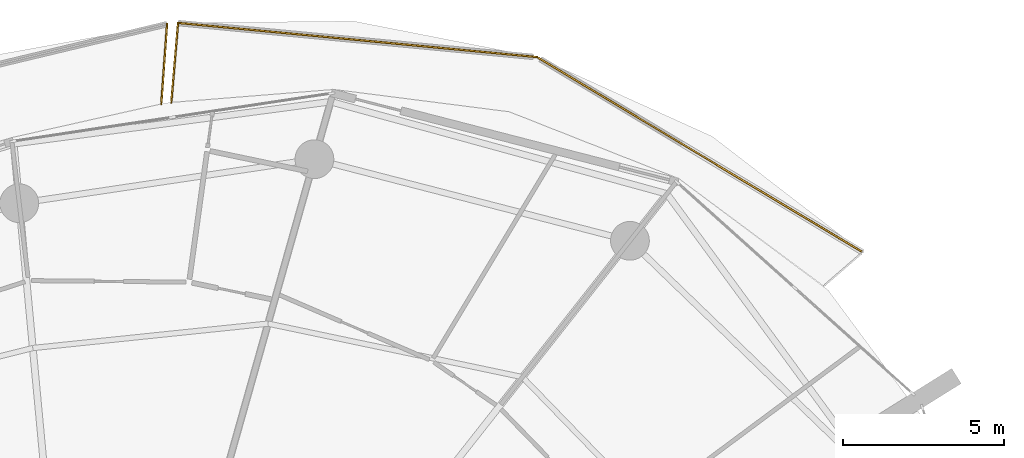
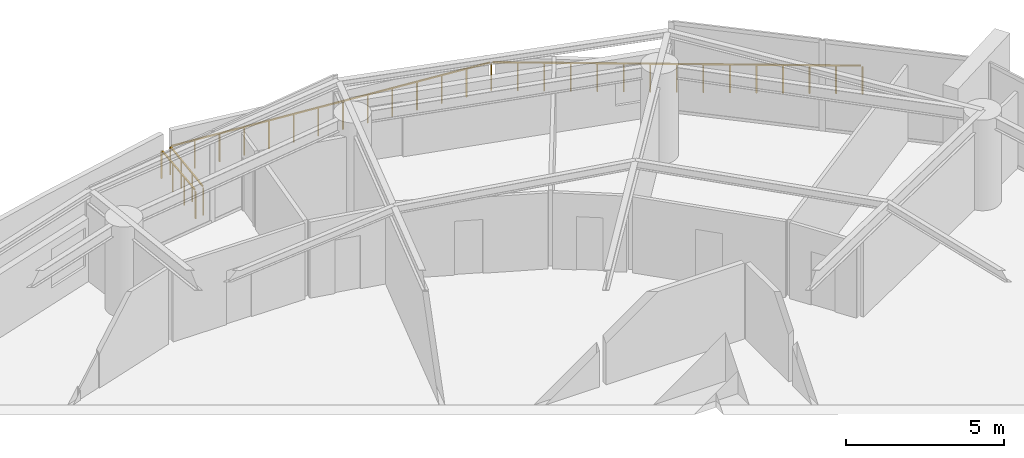
# One storey, part 22 of 22: 4 railings.
"""IFC4 building model written with IfcOpenShell, lengths in metres."""

import ifcopenshell
import ifcopenshell.guid

model = None  # the IFC model being written
_history = None  # IfcOwnerHistory: only IFC2X3 demands one
_inside = {}  # id of a spatial element -> (the spatial element, [elements in it])
_under = {}  # id of a project, library or spatial element -> (it, [spatial elements below it])
_declared = {}  # id of a project -> (the project, [libraries it declares])
_typed = {}  # id of a type object -> (the type object, [elements of that type])
_made_of = {}  # id of a material, layer set ... -> (it, [elements and type objects made of it])


def new_model(schema):
    """Start an empty IFC model of exactly this schema.

    Asked for "IFC4X3", IfcOpenShell would pick the latest addendum, in which some entities
    have other attributes; the version numbers below select the first issue.
    IFC2X3 requires an IfcOwnerHistory on every rooted entity: one is made here for all.
    """
    global model, _history
    if schema == "IFC4X3":
        model = ifcopenshell.file(schema_version=(4, 3, 0, 0))
    else:
        model = ifcopenshell.file(schema=schema)
    _inside.clear()
    _under.clear()
    _declared.clear()
    _typed.clear()
    _made_of.clear()
    _history = None
    if model.schema == "IFC2X3":
        org = make("IfcOrganization", Name="unknown")
        user = make(
            "IfcPersonAndOrganization",
            ThePerson=make("IfcPerson", FamilyName="unknown"),
            TheOrganization=org,
        )
        app = make(
            "IfcApplication",
            ApplicationDeveloper=org,
            Version="unknown",
            ApplicationFullName="unknown",
            ApplicationIdentifier="unknown",
        )
        _history = make(
            "IfcOwnerHistory",
            OwningUser=user,
            OwningApplication=app,
            ChangeAction="ADDED",
            CreationDate=0,
        )
    return model


def make(cls, **values):
    """One entity of the class cls with the attributes given. An attribute that is None is left unset."""
    return model.create_entity(
        cls, **{name: value for name, value in values.items() if value is not None}
    )


def rooted(cls, **values):
    """An entity with a GlobalId (a new one), such as an element, a storey or a relation."""
    return make(cls, GlobalId=ifcopenshell.guid.new(), OwnerHistory=_history, **values)


def si_unit(unit_type, name, prefix=None):
    """IfcSIUnit, for example si_unit("LENGTHUNIT", "METRE", prefix="MILLI")."""
    return make("IfcSIUnit", UnitType=unit_type, Prefix=prefix, Name=name)


def assignment(units):
    """IfcUnitAssignment: the units of a project."""
    return None if units is None else make("IfcUnitAssignment", Units=units)


def point(xyz):
    """IfcCartesianPoint."""
    return None if xyz is None else make("IfcCartesianPoint", Coordinates=xyz)


def direction(xyz):
    """IfcDirection."""
    return None if xyz is None else make("IfcDirection", DirectionRatios=xyz)


def frame(location, z_axis=None, x_axis=None):
    """IfcAxis2Placement3D, a coordinate frame: its origin and axes. An axis left out is left unset."""
    return make(
        "IfcAxis2Placement3D",
        Location=point(location),
        Axis=direction(z_axis),
        RefDirection=direction(x_axis),
    )


def frame_2d(location, x_axis=None):
    """IfcAxis2Placement2D, a coordinate frame in the plane: its origin and x axis."""
    return make(
        "IfcAxis2Placement2D", Location=point(location), RefDirection=direction(x_axis)
    )


def origin():
    """The frame at (0, 0, 0) with its axes left unset."""
    return frame((0.0, 0.0, 0.0))


def origin_2d():
    """The frame at (0, 0) in the plane with its x axis left unset."""
    return frame_2d((0.0, 0.0))


def place(relative_to, where):
    """IfcLocalPlacement: puts the frame where relative to a parent placement (None: the world)."""
    return make(
        "IfcLocalPlacement", PlacementRelTo=relative_to, RelativePlacement=where
    )


def context(
    kind, dimensions, precision=None, world=None, true_north=None, identifier=None
):
    """IfcGeometricRepresentationContext, for example the 3D "Model" context."""
    return make(
        "IfcGeometricRepresentationContext",
        ContextIdentifier=identifier,
        ContextType=kind,
        CoordinateSpaceDimension=dimensions,
        Precision=precision,
        WorldCoordinateSystem=world,
        TrueNorth=true_north,
    )


def subcontext(parent, identifier, kind, view, scale=None):
    """IfcGeometricRepresentationSubContext, for example "Body" below "Model"."""
    return make(
        "IfcGeometricRepresentationSubContext",
        ContextIdentifier=identifier,
        ContextType=kind,
        ParentContext=parent,
        TargetScale=scale,
        TargetView=view,
    )


def project(units=None, contexts=None):
    """IfcProject with its units and contexts."""
    return rooted(
        "IfcProject",
        Name="project",
        RepresentationContexts=contexts,
        UnitsInContext=assignment(units),
    )


def spatial(cls, under=None, at=None, **own):
    """A site, building, storey or space (cls), placed at a placement, below another one or the project."""
    s = rooted(cls, ObjectPlacement=at, **own)
    if under is not None:
        _under.setdefault(under.id(), (under, []))[1].append(s)
    return s


def profile(cls, at=None, kind="AREA", **sizes):
    """A parametric profile (cls). Its sizes go by their IFC names, for example OverallWidth=200.0."""
    return make(cls, ProfileType=kind, Position=at, **sizes)


def rectangle(**sizes):
    """IfcRectangleProfileDef."""
    return profile("IfcRectangleProfileDef", **sizes)


def extrude(swept, where, along, depth):
    """IfcExtrudedAreaSolid: the profile swept, set in the frame where, extruded along a direction by depth."""
    return make(
        "IfcExtrudedAreaSolid",
        SweptArea=swept,
        Position=where,
        ExtrudedDirection=direction(along),
        Depth=depth,
    )


def shape(context_of_items, identifier, shape_type, items):
    """IfcShapeRepresentation: the items that make up one representation, for example the "Body"."""
    return make(
        "IfcShapeRepresentation",
        ContextOfItems=context_of_items,
        RepresentationIdentifier=identifier,
        RepresentationType=shape_type,
        Items=items,
    )


def material(Name=None, Category=None):
    """IfcMaterial."""
    return make("IfcMaterial", Name=Name, Category=Category)


def made_of(thing, what):
    """Note that an element or type object is made of a material, layer set ...; save() writes the relation."""
    if what is not None:
        _made_of.setdefault(what.id(), (what, []))[1].append(thing)
    return thing


def type_object(cls, material=None, **own):
    """A type object (cls), such as IfcWallType, which elements share."""
    return made_of(rooted(cls, **own), material)


def element(
    cls,
    number,
    at=None,
    inside=None,
    cuts=None,
    type_object=None,
    material=None,
    context=None,
    identifier="Body",
    shape_type=None,
    held_by="IfcProductDefinitionShape",
    body=None,
    shapes=None,
    **own,
):
    """One element of the class cls, such as IfcWall. Its Tag is "e" and its number.

    at: its placement. inside: the storey or other place that contains it. cuts: it is an
    opening in that element (IfcRelVoidsElement). A single representation is given by context,
    identifier, shape_type and body (its items); several are given by shapes. held_by: the class
    of the entity that holds the representations. save() writes the other relations.
    """
    e = rooted(cls, Tag="e%d" % number, ObjectPlacement=at, **own)
    if body is not None:
        shapes = [shape(context, identifier, shape_type, body)]
    if shapes is not None:
        e.Representation = make(held_by, Representations=shapes)
    if inside is not None:
        _inside.setdefault(inside.id(), (inside, []))[1].append(e)
    if cuts is not None:
        rooted(
            "IfcRelVoidsElement", RelatingBuildingElement=cuts, RelatedOpeningElement=e
        )
    if type_object is not None:
        _typed.setdefault(type_object.id(), (type_object, []))[1].append(e)
    return made_of(e, material)


def aggregate(whole, parts):
    """IfcRelAggregates: a whole, such as a stair, and the parts it consists of."""
    return rooted("IfcRelAggregates", RelatingObject=whole, RelatedObjects=parts)


def save(model, path):
    """Write the relations noted so far, then the file.

    IfcRelAggregates (storeys below a building ...), IfcRelContainedInSpatialStructure (elements
    in a storey), IfcRelDefinesByType, IfcRelAssociatesMaterial and IfcRelDeclares: one each for
    every whole, place, type object, material and project.
    """
    for whole, parts in _under.values():
        aggregate(whole, parts)
    for where, things in _inside.values():
        rooted(
            "IfcRelContainedInSpatialStructure",
            RelatedElements=things,
            RelatingStructure=where,
        )
    for kind, things in _typed.values():
        rooted("IfcRelDefinesByType", RelatedObjects=things, RelatingType=kind)
    for what, things in _made_of.values():
        rooted("IfcRelAssociatesMaterial", RelatedObjects=things, RelatingMaterial=what)
    for by, libraries in _declared.values():
        rooted("IfcRelDeclares", RelatingContext=by, RelatedDefinitions=libraries)
    model.write(path)


model = new_model("IFC4")

# Units and contexts
model_context = context("Model", 3, precision=1e-05, world=origin(), true_north=direction((0.0, 1.0)))
body_context = subcontext(model_context, "Body", "Model", "MODEL_VIEW")
ifc_project = project(units=[si_unit("LENGTHUNIT", "METRE"), si_unit("AREAUNIT", "SQUARE_METRE"), si_unit("VOLUMEUNIT", "CUBIC_METRE"), si_unit("PLANEANGLEUNIT", "RADIAN"), si_unit("MASSUNIT", "GRAM", prefix="KILO")], contexts=[model_context])

# Site, building, storey
site_placement = place(None, origin())
site = spatial("IfcSite", under=ifc_project, at=site_placement, CompositionType="ELEMENT")
building_placement = place(site_placement, origin())
building = spatial("IfcBuilding", under=site, at=building_placement, Name="Kazma Halo Residences", CompositionType="ELEMENT")
storey_placement = place(building_placement, frame((0.0, 0.0, 90.14990234375)))
storey = spatial("IfcBuildingStorey", under=building, at=storey_placement, Name="L22", CompositionType="ELEMENT", Elevation=90.14990234375)

# Railings
ifc_material = material(Name="Aluminium AW-6063 T6 Brushed Cap Rail", Category="aluminium")
railing_type = type_object("IfcRailingType", Name="RLG-BAL-CAP-1120", PredefinedType="BALUSTRADE", material=ifc_material)
railing_1_placement = place(storey_placement, frame((71.534423828125, 62.35009765625, 0.0)))
element("IfcRailing", 1, at=railing_1_placement, inside=storey, type_object=railing_type, Name="L22 NE wave balcony guard 2", PredefinedType="BALUSTRADE", context=body_context, shape_type="SweptSolid", body=[
    extrude(rectangle(XDim=0.050048828125, YDim=0.050048828125, at=origin_2d()), frame((-0.036376953125, 0.02197265625, 1.09521484375), z_axis=(-0.857731000846, 0.514098755288, 0.0), x_axis=(-0.514098755288, -0.857731000846, 0.0)), (0.0, 0.0, 1.0), 11.673095703125),
    extrude(rectangle(XDim=0.0400390625, YDim=0.0400390625, at=origin_2d()), origin(), (0.0, 0.0, 1.0), 1.05810546875),
    extrude(rectangle(XDim=0.0400390625, YDim=0.0400390625, at=origin_2d()), frame((-0.720458984375, 0.431884765625, 0.0)), (0.0, 0.0, 1.0), 1.05810546875),
    extrude(rectangle(XDim=0.0400390625, YDim=0.0400390625, at=origin_2d()), frame((-1.440673828125, 0.863525390625, 0.0)), (0.0, 0.0, 1.0), 1.05810546875),
    extrude(rectangle(XDim=0.0400390625, YDim=0.0400390625, at=origin_2d()), frame((-2.1611328125, 1.29541015625, 0.0)), (0.0, 0.0, 1.0), 1.05810546875),
    extrude(rectangle(XDim=0.0400390625, YDim=0.0400390625, at=origin_2d()), frame((-2.881591796875, 1.72705078125, 0.0)), (0.0, 0.0, 1.0), 1.05810546875),
    extrude(rectangle(XDim=0.0400390625, YDim=0.0400390625, at=origin_2d()), frame((-3.60205078125, 2.158935546875, 0.0)), (0.0, 0.0, 1.0), 1.05810546875),
    extrude(rectangle(XDim=0.0400390625, YDim=0.0400390625, at=origin_2d()), frame((-4.322265625, 2.590576171875, 0.0)), (0.0, 0.0, 1.0), 1.05810546875),
    extrude(rectangle(XDim=0.0400390625, YDim=0.0400390625, at=origin_2d()), frame((-5.042724609375, 3.0224609375, 0.0)), (0.0, 0.0, 1.0), 1.05810546875),
    extrude(rectangle(XDim=0.0400390625, YDim=0.0400390625, at=origin_2d()), frame((-5.76318359375, 3.454345703125, 0.0)), (0.0, 0.0, 1.0), 1.05810546875),
    extrude(rectangle(XDim=0.0400390625, YDim=0.0400390625, at=origin_2d()), frame((-6.4833984375, 3.885986328125, 0.0)), (0.0, 0.0, 1.0), 1.05810546875),
    extrude(rectangle(XDim=0.0400390625, YDim=0.0400390625, at=origin_2d()), frame((-7.203857421875, 4.31787109375, 0.0)), (0.0, 0.0, 1.0), 1.05810546875),
    extrude(rectangle(XDim=0.0400390625, YDim=0.0400390625, at=origin_2d()), frame((-7.92431640625, 4.74951171875, 0.0)), (0.0, 0.0, 1.0), 1.05810546875),
    extrude(rectangle(XDim=0.0400390625, YDim=0.0400390625, at=origin_2d()), frame((-8.644775390625, 5.181396484375, 0.0)), (0.0, 0.0, 1.0), 1.05810546875),
    extrude(rectangle(XDim=0.0400390625, YDim=0.0400390625, at=origin_2d()), frame((-9.364990234375, 5.613037109375, 0.0)), (0.0, 0.0, 1.0), 1.05810546875),
    extrude(rectangle(XDim=0.0400390625, YDim=0.0400390625, at=origin_2d()), frame((-10.08544921875, 6.044921875, 0.0)), (0.0, 0.0, 1.0), 1.05810546875),
])
railing_2_placement = place(storey_placement, frame((61.448974609375, 68.39501953125, 0.0)))
element("IfcRailing", 2, at=railing_2_placement, inside=storey, type_object=railing_type, Name="L22 NE wave balcony guard 3", PredefinedType="BALUSTRADE", context=body_context, shape_type="SweptSolid", body=[
    extrude(rectangle(XDim=0.050048828125, YDim=0.050048828125, at=origin_2d()), frame((-0.042236328125, 0.004150390625, 1.09521484375), z_axis=(-0.995492623322, 0.094839005217, 0.0), x_axis=(-0.094839005217, -0.995492623322, 0.0)), (0.0, 0.0, 1.0), 11.084716796875),
    extrude(rectangle(XDim=0.0400390625, YDim=0.0400390625, at=origin_2d()), origin(), (0.0, 0.0, 1.0), 1.05810546875),
    extrude(rectangle(XDim=0.0400390625, YDim=0.0400390625, at=origin_2d()), frame((-0.855224609375, 0.08154296875, 0.0)), (0.0, 0.0, 1.0), 1.05810546875),
    extrude(rectangle(XDim=0.0400390625, YDim=0.0400390625, at=origin_2d()), frame((-1.710693359375, 0.1630859375, 0.0)), (0.0, 0.0, 1.0), 1.05810546875),
    extrude(rectangle(XDim=0.0400390625, YDim=0.0400390625, at=origin_2d()), frame((-2.56591796875, 0.244384765625, 0.0)), (0.0, 0.0, 1.0), 1.05810546875),
    extrude(rectangle(XDim=0.0400390625, YDim=0.0400390625, at=origin_2d()), frame((-3.42138671875, 0.325927734375, 0.0)), (0.0, 0.0, 1.0), 1.05810546875),
    extrude(rectangle(XDim=0.0400390625, YDim=0.0400390625, at=origin_2d()), frame((-4.276611328125, 0.407470703125, 0.0)), (0.0, 0.0, 1.0), 1.05810546875),
    extrude(rectangle(XDim=0.0400390625, YDim=0.0400390625, at=origin_2d()), frame((-5.132080078125, 0.489013671875, 0.0)), (0.0, 0.0, 1.0), 1.05810546875),
    extrude(rectangle(XDim=0.0400390625, YDim=0.0400390625, at=origin_2d()), frame((-5.9873046875, 0.5703125, 0.0)), (0.0, 0.0, 1.0), 1.05810546875),
    extrude(rectangle(XDim=0.0400390625, YDim=0.0400390625, at=origin_2d()), frame((-6.8427734375, 0.65185546875, 0.0)), (0.0, 0.0, 1.0), 1.05810546875),
    extrude(rectangle(XDim=0.0400390625, YDim=0.0400390625, at=origin_2d()), frame((-7.697998046875, 0.7333984375, 0.0)), (0.0, 0.0, 1.0), 1.05810546875),
    extrude(rectangle(XDim=0.0400390625, YDim=0.0400390625, at=origin_2d()), frame((-8.553466796875, 0.81494140625, 0.0)), (0.0, 0.0, 1.0), 1.05810546875),
    extrude(rectangle(XDim=0.0400390625, YDim=0.0400390625, at=origin_2d()), frame((-9.40869140625, 0.896240234375, 0.0)), (0.0, 0.0, 1.0), 1.05810546875),
    extrude(rectangle(XDim=0.0400390625, YDim=0.0400390625, at=origin_2d()), frame((-10.26416015625, 0.977783203125, 0.0)), (0.0, 0.0, 1.0), 1.05810546875),
    extrude(rectangle(XDim=0.0400390625, YDim=0.0400390625, at=origin_2d()), frame((-11.119384765625, 1.059326171875, 0.0)), (0.0, 0.0, 1.0), 1.05810546875),
])
railing_3_placement = place(storey_placement, frame((50.32958984375, 69.454345703125, 0.0)))
element("IfcRailing", 3, at=railing_3_placement, inside=storey, type_object=railing_type, Name="L22 NE wave balcony guard 4", PredefinedType="BALUSTRADE", context=body_context, shape_type="SweptSolid", body=[
    extrude(rectangle(XDim=0.050048828125, YDim=0.050048828125, at=origin_2d()), frame((-0.003662109375, -0.04248046875, 1.09521484375), z_axis=(-0.084582753674, -0.996416458004, 0.0), x_axis=(0.996416458004, -0.084582753674, 0.0)), (0.0, 0.0, 1.0), 2.3857421875),
    extrude(rectangle(XDim=0.0400390625, YDim=0.0400390625, at=origin_2d()), origin(), (0.0, 0.0, 1.0), 1.05810546875),
    extrude(rectangle(XDim=0.0400390625, YDim=0.0400390625, at=origin_2d()), frame((-0.069580078125, -0.820556640625, 0.0)), (0.0, 0.0, 1.0), 1.05810546875),
    extrude(rectangle(XDim=0.0400390625, YDim=0.0400390625, at=origin_2d()), frame((-0.139404296875, -1.641357421875, 0.0)), (0.0, 0.0, 1.0), 1.05810546875),
    extrude(rectangle(XDim=0.0400390625, YDim=0.0400390625, at=origin_2d()), frame((-0.208984375, -2.4619140625, 0.0)), (0.0, 0.0, 1.0), 1.05810546875),
])
railing_4_placement = place(storey_placement, frame((49.81005859375, 66.94580078125, 0.0)))
element("IfcRailing", 4, at=railing_4_placement, inside=storey, type_object=railing_type, Name="L22 NNW wave balcony guard 1", PredefinedType="BALUSTRADE", context=body_context, shape_type="SweptSolid", body=[
    extrude(rectangle(XDim=0.050048828125, YDim=0.050048828125, at=origin_2d()), frame((0.003173828125, 0.04248046875, 1.09521484375), z_axis=(0.072373633007, 0.997377590106, 0.0), x_axis=(-0.997377590106, 0.072373633007, 0.0)), (0.0, 0.0, 1.0), 2.394287109375),
    extrude(rectangle(XDim=0.0400390625, YDim=0.0400390625, at=origin_2d()), origin(), (0.0, 0.0, 1.0), 1.05810546875),
    extrude(rectangle(XDim=0.0400390625, YDim=0.0400390625, at=origin_2d()), frame((0.059814453125, 0.82421875, 0.0)), (0.0, 0.0, 1.0), 1.05810546875),
    extrude(rectangle(XDim=0.0400390625, YDim=0.0400390625, at=origin_2d()), frame((0.11962890625, 1.648681640625, 0.0)), (0.0, 0.0, 1.0), 1.05810546875),
    extrude(rectangle(XDim=0.0400390625, YDim=0.0400390625, at=origin_2d()), frame((0.179443359375, 2.472900390625, 0.0)), (0.0, 0.0, 1.0), 1.05810546875),
])

save(model, "model.ifc")
